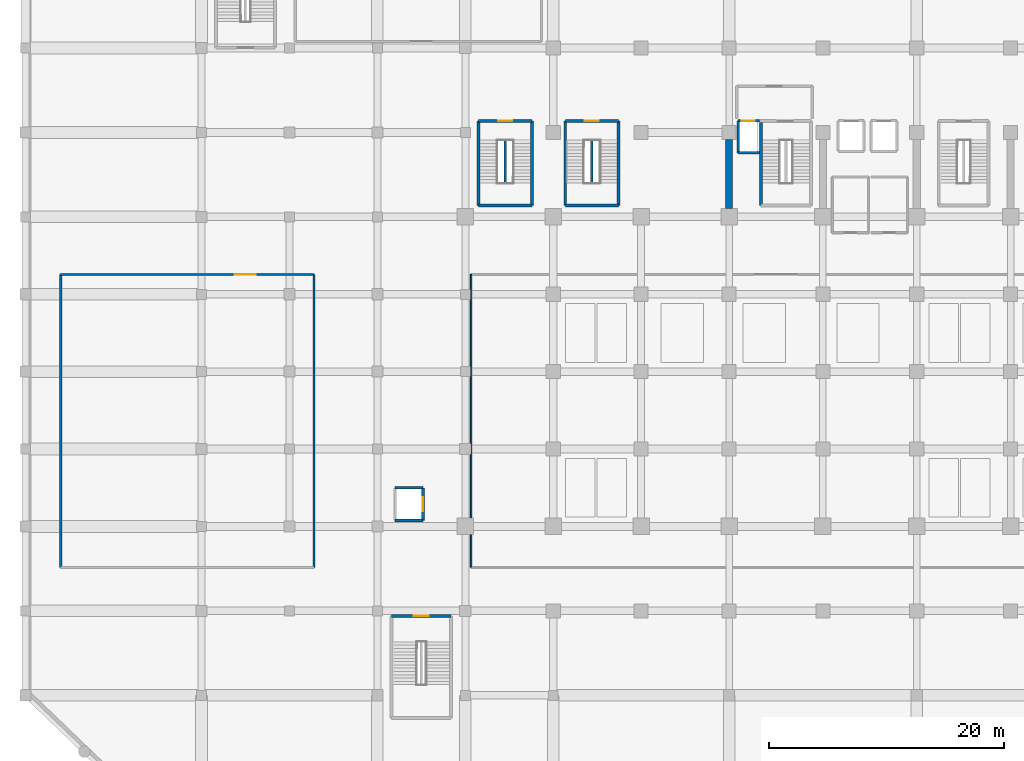
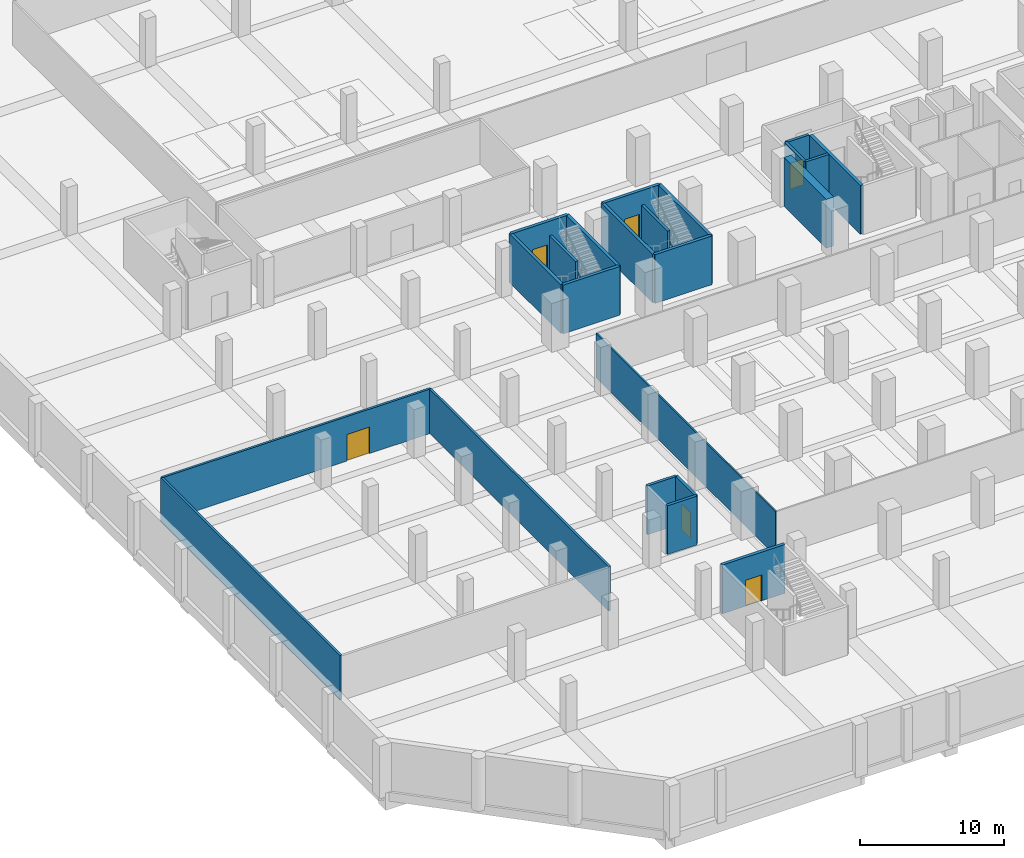
# One storey, part 7 of 25: 23 walls, 6 doors, 6 openings.
"""IFC4 building model written with IfcOpenShell, lengths in metres."""

from ifc_helpers import new_model, si_unit, direction, frame, frame_2d, origin, place, context, subcontext, project, spatial, rectangle, extrude, material, layer, layer_set, type_object, element, fill, save


model = new_model("IFC4")

# Units and contexts
model_context = context("Model", 3, precision=1e-05, world=origin(), true_north=direction((0.0, 1.0)))
body_context = subcontext(model_context, "Body", "Model", "MODEL_VIEW")
ifc_project = project(units=[si_unit("LENGTHUNIT", "METRE"), si_unit("AREAUNIT", "SQUARE_METRE"), si_unit("VOLUMEUNIT", "CUBIC_METRE"), si_unit("PLANEANGLEUNIT", "RADIAN"), si_unit("MASSUNIT", "GRAM", prefix="KILO")], contexts=[model_context])

# Site, building, storey
site_placement = place(None, origin())
site = spatial("IfcSite", under=ifc_project, at=site_placement, CompositionType="ELEMENT")
building_placement = place(site_placement, origin())
building = spatial("IfcBuilding", under=site, at=building_placement, Name="Akrevak Sports Hall", CompositionType="ELEMENT")
storey_placement = place(building_placement, frame((0.0, 0.0, -4.5)))
storey = spatial("IfcBuildingStorey", under=building, at=storey_placement, Name="B01", CompositionType="ELEMENT", Elevation=-4.5)

# Wall
ifc_material_1 = material(Name="Standard Metal Stud Partition", Category="gypsum")
ifc_layer_1 = layer(ifc_material_1, 0.1201171875, Name="Standard Metal Stud Partition")
ifc_layer_set_1 = layer_set([ifc_layer_1], Name="Standard Metal Stud Partition")
wall_type_1 = type_object("IfcWallType", Name="ARC-WL-PRT-120", PredefinedType="PARTITIONING", material=ifc_layer_set_1)
wall_1_placement = place(storey_placement, frame((38.0, 25.300048828125, 0.0), z_axis=(0.0, 0.0, 1.0), x_axis=(0.0, 1.0, 0.0)))
element("IfcWall", 1, at=wall_1_placement, inside=storey, type_object=wall_type_1, Name="Interior Partition Underground Car Park Hall South B01 (W)", PredefinedType="PARTITIONING", context=body_context, shape_type="SweptSolid", body=[
    extrude(rectangle(XDim=25.0, YDim=0.1201171875, at=frame_2d((12.5, 0.0))), origin(), (0.0, 0.0, 1.0), 3.780029296875),
])

# Wall, opening, door
ifc_material_2 = material(Name="Autoclaved Aerated Masonry Block", Category="masonry")
ifc_layer_2 = layer(ifc_material_2, 0.179931640625, Name="Autoclaved Aerated Masonry Block")
ifc_layer_set_2 = layer_set([ifc_layer_2], Name="Autoclaved Aerated Masonry Block")
wall_type_2 = type_object("IfcWallType", Name="ARC-WL-PRT-180", PredefinedType="PARTITIONING", material=ifc_layer_set_2)
wall_2_placement = place(storey_placement, frame((3.0, 50.300048828125, 0.0), z_axis=(0.0, 0.0, 1.0), x_axis=(1.0, 0.0, 0.0)))
wall_2 = element("IfcWall", 2, at=wall_2_placement, inside=storey, type_object=wall_type_2, Name="Interior Partition Central Mechanical & Chiller Plant B01 (N)", PredefinedType="PARTITIONING", context=body_context, shape_type="SweptSolid", body=[
    extrude(rectangle(XDim=21.60009765625, YDim=0.179931640625, at=frame_2d((10.800048828125, 0.0))), origin(), (0.0, 0.0, 1.0), 3.780029296875),
])
opening_1_placement = place(wall_2_placement, frame((14.85009765625, 0.0, 0.0)))
opening_1 = element("IfcOpeningElement", 3, at=opening_1_placement, cuts=wall_2, Name="Opening ID-02", PredefinedType="OPENING", context=body_context, shape_type="SweptSolid", body=[
    extrude(rectangle(XDim=1.800048828125, YDim=2.25, at=frame_2d((0.89990234375, 1.125))), frame((0.0, 0.10205078125, 0.0), z_axis=(0.0, -1.0, 0.0), x_axis=(1.0, 0.0, 0.0)), (0.0, 0.0, 1.0), 0.203857421875),
])
ifc_material_3 = material(Name="Hardwood Oak & Safety Glass", Category="wood")
door_type_1 = type_object("IfcDoorType", Name="ARC-DR-HALL-180x225", OperationType="DOUBLE_DOOR_SINGLE_SWING", PredefinedType="DOOR", material=ifc_material_3)
door_1_placement = place(opening_1_placement, origin())
door_1 = element("IfcDoor", 4, at=door_1_placement, inside=storey, type_object=door_type_1, Name="Door to Central Mechanical & Chiller Plant B01", OperationType="DOUBLE_DOOR_SINGLE_SWING", OverallHeight=2.25, OverallWidth=1.800048828125, PredefinedType="DOOR", context=body_context, shape_type="SweptSolid", body=[
    extrude(rectangle(XDim=1.800048828125, YDim=2.25, at=frame_2d((0.89990234375, 1.125))), frame((0.0, 0.02490234375, 0.0), z_axis=(0.0, -1.0, 0.0), x_axis=(1.0, 0.0, 0.0)), (0.0, 0.0, 1.0), 0.050048828125),
])
fill(opening_1, door_1)

# Walls
for number, where, z_axis, x_axis, name in (
    (5, (3.0, 25.300048828125, 0.0), (0.0, 0.0, 1.0), (0.0, 1.0, 0.0), "Interior Partition Central Mechanical & Chiller Plant B01 (W)"),
    (6, (24.60009765625, 25.300048828125, 0.0), (0.0, 0.0, 1.0), (0.0, 1.0, 0.0), "Interior Partition Central Mechanical & Chiller Plant B01 (E)"),
):
    element("IfcWall", number, at=place(storey_placement, frame(where, z_axis=z_axis, x_axis=x_axis)), inside=storey, type_object=wall_type_2, Name=name, PredefinedType="PARTITIONING", context=body_context, shape_type="SweptSolid", body=[
        extrude(rectangle(XDim=25.0, YDim=0.179931640625, at=frame_2d((12.5, 0.0))), origin(), (0.0, 0.0, 1.0), 3.780029296875),
    ])
ifc_material_4 = material(Name="Concrete C40/50", Category="concrete")
ifc_layer_3 = layer(ifc_material_4, 0.219970703125, Name="Concrete C40/50")
ifc_layer_set_3 = layer_set([ifc_layer_3], Name="Concrete C40/50")
wall_type_3 = type_object("IfcWallType", Name="ARC-WL-PRT-220", PredefinedType="PARTITIONING", material=ifc_layer_set_3)
for number, where, z_axis, x_axis, name in (
    (7, (48.300048828125, 58.094970703125, 0.0), (0.0, 0.0, 1.0), (0.0, 1.0, 0.0), "Stair ST4 Central Spine Wall (B01)"),
    (8, (40.89990234375, 58.094970703125, 0.0), (0.0, 0.0, 1.0), (0.0, 1.0, 0.0), "Stair ST9 Central Spine Wall (B01)"),
):
    element("IfcWall", number, at=place(storey_placement, frame(where, z_axis=z_axis, x_axis=x_axis)), inside=storey, type_object=wall_type_3, Name=name, PredefinedType="PARTITIONING", context=body_context, shape_type="SweptSolid", body=[
        extrude(rectangle(XDim=3.64013671875, YDim=0.219970703125, at=frame_2d((1.820068359375, 0.0))), origin(), (0.0, 0.0, 1.0), 4.14990234375),
    ])
ifc_material_5 = material(Name="Concrete C50/60", Category="concrete")
ifc_layer_4 = layer(ifc_material_5, 0.219970703125, Name="Concrete C50/60")
ifc_layer_set_4 = layer_set([ifc_layer_4], Name="Concrete C50/60")
wall_type_4 = type_object("IfcWallType", Name="ARC-WL-SHAFT-220", PredefinedType="SHEAR", material=ifc_layer_set_4)
wall_3_placement = place(storey_placement, frame((60.760009765625, 60.659912109375, 0.0), z_axis=(0.0, 0.0, 1.0), x_axis=(1.0, 0.0, 0.0)))
element("IfcWall", 9, at=wall_3_placement, inside=storey, type_object=wall_type_4, Name="Lift Shaft LF-FF1 Wall S (B01)", PredefinedType="SHEAR", context=body_context, shape_type="SweptSolid", body=[
    extrude(rectangle(XDim=1.840087890625, YDim=0.219970703125, at=frame_2d((0.919921875, 0.0))), origin(), (0.0, 0.0, 1.0), 4.14990234375),
])

# Wall, opening, door
wall_4_placement = place(storey_placement, frame((62.60009765625, 63.389892578125, 0.0), z_axis=(0.0, 0.0, 1.0), x_axis=(-1.0, 0.0, 0.0)))
wall_4 = element("IfcWall", 10, at=wall_4_placement, inside=storey, type_object=wall_type_4, Name="Lift Shaft LF-FF1 Wall N (B01)", PredefinedType="SHEAR", context=body_context, shape_type="SweptSolid", body=[
    extrude(rectangle(XDim=1.840087890625, YDim=0.219970703125, at=frame_2d((0.919921875, 0.0))), origin(), (0.0, 0.0, 1.0), 4.14990234375),
])
opening_2_placement = place(wall_4_placement, frame((0.425048828125, 0.0, 0.0)))
opening_2 = element("IfcOpeningElement", 11, at=opening_2_placement, cuts=wall_4, Name="Opening LD-01", PredefinedType="OPENING", context=body_context, shape_type="SweptSolid", body=[
    extrude(rectangle(XDim=1.10009765625, YDim=2.199951171875, at=frame_2d((0.550048828125, 1.10009765625))), frame((0.0, 0.1220703125, 0.0), z_axis=(0.0, -1.0, 0.0), x_axis=(1.0, 0.0, 0.0)), (0.0, 0.0, 1.0), 0.243896484375),
])
ifc_material_6 = material(Name="Brushed Stainless Steel 304", Category="steel")
door_type_2 = type_object("IfcDoorType", Name="ARC-DR-LD-110x220", OperationType="SLIDING_TO_LEFT", PredefinedType="DOOR", material=ifc_material_6)
door_2_placement = place(opening_2_placement, origin())
door_2 = element("IfcDoor", 12, at=door_2_placement, inside=storey, type_object=door_type_2, Name="Lift LF-FF1 Sliding Landing Door (B01)", OperationType="SLIDING_TO_RIGHT", OverallHeight=2.199951171875, OverallWidth=1.10009765625, PredefinedType="DOOR", context=body_context, shape_type="SweptSolid", body=[
    extrude(rectangle(XDim=1.10009765625, YDim=2.199951171875, at=frame_2d((0.550048828125, 1.10009765625))), frame((0.0, 0.02490234375, 0.0), z_axis=(0.0, -1.0, 0.0), x_axis=(1.0, 0.0, 0.0)), (0.0, 0.0, 1.0), 0.050048828125),
])
fill(opening_2, door_2)

# Walls
wall_5_placement = place(storey_placement, frame((60.760009765625, 63.389892578125, 0.0), z_axis=(0.0, 0.0, 1.0), x_axis=(0.0, -1.0, 0.0)))
element("IfcWall", 13, at=wall_5_placement, inside=storey, type_object=wall_type_4, Name="Lift Shaft LF-FF1 Wall W (B01)", PredefinedType="SHEAR", context=body_context, shape_type="SweptSolid", body=[
    extrude(rectangle(XDim=2.72998046875, YDim=0.219970703125, at=frame_2d((1.364990234375, 0.0))), origin(), (0.0, 0.0, 1.0), 4.14990234375),
])
for number, where, z_axis, x_axis, name in (
    (14, (31.510009765625, 29.31005859375, 0.0), (0.0, 0.0, 1.0), (1.0, 0.0, 0.0), "Lift Shaft LF-G1 Wall S (B01)"),
    (15, (33.889892578125, 32.090087890625, 0.0), (0.0, 0.0, 1.0), (-1.0, 0.0, 0.0), "Lift Shaft LF-G1 Wall N (B01)"),
):
    element("IfcWall", number, at=place(storey_placement, frame(where, z_axis=z_axis, x_axis=x_axis)), inside=storey, type_object=wall_type_4, Name=name, PredefinedType="SHEAR", context=body_context, shape_type="SweptSolid", body=[
        extrude(rectangle(XDim=2.3798828125, YDim=0.219970703125, at=frame_2d((1.18994140625, 0.0))), origin(), (0.0, 0.0, 1.0), 4.14990234375),
    ])

# Wall, opening, door
wall_6_placement = place(storey_placement, frame((33.889892578125, 29.31005859375, 0.0), z_axis=(0.0, 0.0, 1.0), x_axis=(0.0, 1.0, 0.0)))
wall_6 = element("IfcWall", 16, at=wall_6_placement, inside=storey, type_object=wall_type_4, Name="Lift Shaft LF-G1 Wall E (B01)", PredefinedType="SHEAR", context=body_context, shape_type="SweptSolid", body=[
    extrude(rectangle(XDim=2.780029296875, YDim=0.219970703125, at=frame_2d((1.39013671875, 0.0))), origin(), (0.0, 0.0, 1.0), 4.14990234375),
])
opening_3_placement = place(wall_6_placement, frame((0.7900390625, 0.0, 0.0)))
opening_3 = element("IfcOpeningElement", 17, at=opening_3_placement, cuts=wall_6, Name="Opening LD-02", PredefinedType="OPENING", context=body_context, shape_type="SweptSolid", body=[
    extrude(rectangle(XDim=1.199951171875, YDim=2.199951171875, at=frame_2d((0.60009765625, 1.10009765625))), frame((0.0, 0.1220703125, 0.0), z_axis=(0.0, -1.0, 0.0), x_axis=(1.0, 0.0, 0.0)), (0.0, 0.0, 1.0), 0.243896484375),
])
door_type_3 = type_object("IfcDoorType", Name="ARC-DR-LD-120x220", OperationType="SLIDING_TO_RIGHT", PredefinedType="DOOR", material=ifc_material_6)
door_3_placement = place(opening_3_placement, origin())
door_3 = element("IfcDoor", 18, at=door_3_placement, inside=storey, type_object=door_type_3, Name="Lift LF-G1 Sliding Landing Door (B01)", OperationType="SLIDING_TO_RIGHT", OverallHeight=2.199951171875, OverallWidth=1.199951171875, PredefinedType="DOOR", context=body_context, shape_type="SweptSolid", body=[
    extrude(rectangle(XDim=1.199951171875, YDim=2.199951171875, at=frame_2d((0.60009765625, 1.10009765625))), frame((0.0, 0.02490234375, 0.0), z_axis=(0.0, -1.0, 0.0), x_axis=(1.0, 0.0, 0.0)), (0.0, 0.0, 1.0), 0.050048828125),
])
fill(opening_3, door_3)

# Walls
ifc_layer_5 = layer(ifc_material_5, 0.60009765625, Name="Concrete C50/60")
ifc_layer_set_5 = layer_set([ifc_layer_5], Name="Concrete C50/60")
wall_type_5 = type_object("IfcWallType", Name="STR-WL-CORE-600", PredefinedType="SHEAR", material=ifc_layer_set_5)
wall_7_placement = place(storey_placement, frame((60.0, 55.89990234375, 0.0), z_axis=(0.0, 0.0, 1.0), x_axis=(0.0, 1.0, 0.0)))
element("IfcWall", 19, at=wall_7_placement, inside=storey, type_object=wall_type_5, Name="Reinforced Concrete Shear Wall SW-W2 (B01)", PredefinedType="SHEAR", context=body_context, shape_type="SweptSolid", body=[
    extrude(rectangle(XDim=5.900146484375, YDim=0.60009765625, at=frame_2d((2.9501953125, 0.0))), origin(), (0.0, 0.0, 1.0), 4.14990234375),
])
ifc_layer_6 = layer(ifc_material_5, 0.25, Name="Concrete C50/60")
ifc_layer_set_6 = layer_set([ifc_layer_6], Name="Concrete C50/60")
wall_type_6 = type_object("IfcWallType", Name="STR-WL-STAIR-250", PredefinedType="SHEAR", material=ifc_layer_set_6)
wall_8_placement = place(storey_placement, frame((62.72509765625, 63.25, 0.0), z_axis=(0.0, 0.0, 1.0), x_axis=(0.0, -1.0, 0.0)))
element("IfcWall", 20, at=wall_8_placement, inside=storey, type_object=wall_type_6, Name="Stair Core ST1 Shear Wall W (B01)", PredefinedType="SHEAR", context=body_context, shape_type="SweptSolid", body=[
    extrude(rectangle(XDim=7.074951171875, YDim=0.25, at=frame_2d((3.53759765625, 0.0))), origin(), (0.0, 0.0, 1.0), 4.14990234375),
])
wall_9_placement = place(storey_placement, frame((46.02490234375, 56.175048828125, 0.0), z_axis=(0.0, 0.0, 1.0), x_axis=(1.0, 0.0, 0.0)))
element("IfcWall", 21, at=wall_9_placement, inside=storey, type_object=wall_type_6, Name="Stair Core ST4 Shear Wall S (B01)", PredefinedType="SHEAR", context=body_context, shape_type="SweptSolid", body=[
    extrude(rectangle(XDim=4.550048828125, YDim=0.25, at=frame_2d((2.27490234375, 0.0))), origin(), (0.0, 0.0, 1.0), 4.14990234375),
])

# Wall, opening, door
wall_10_placement = place(storey_placement, frame((50.574951171875, 63.375, 0.0), z_axis=(0.0, 0.0, 1.0), x_axis=(-1.0, 0.0, 0.0)))
wall_10 = element("IfcWall", 22, at=wall_10_placement, inside=storey, type_object=wall_type_6, Name="Stair Core ST4 Shear Wall N (B01)", PredefinedType="SHEAR", context=body_context, shape_type="SweptSolid", body=[
    extrude(rectangle(XDim=4.550048828125, YDim=0.25, at=frame_2d((2.27490234375, 0.0))), origin(), (0.0, 0.0, 1.0), 4.14990234375),
])
opening_4_placement = place(wall_10_placement, frame((1.675048828125, 0.0, 0.0)))
opening_4 = element("IfcOpeningElement", 23, at=opening_4_placement, cuts=wall_10, Name="Opening SD-02", PredefinedType="OPENING", context=body_context, shape_type="SweptSolid", body=[
    extrude(rectangle(XDim=1.199951171875, YDim=2.199951171875, at=frame_2d((0.60009765625, 1.10009765625))), frame((0.0, 0.136962890625, 0.0), z_axis=(0.0, -1.0, 0.0), x_axis=(1.0, 0.0, 0.0)), (0.0, 0.0, 1.0), 0.27392578125),
])
ifc_material_7 = material(Name="Fire-Rated Galvanized Door Steel", Category="steel")
door_type_4 = type_object("IfcDoorType", Name="ARC-DR-STAIR-120x220", OperationType="NOTDEFINED", PredefinedType="DOOR", material=ifc_material_7)
door_4_placement = place(opening_4_placement, origin())
door_4 = element("IfcDoor", 24, at=door_4_placement, inside=storey, type_object=door_type_4, Name="Exit Stair ST4 Door (B01)", OperationType="SINGLE_SWING_RIGHT", OverallHeight=2.199951171875, OverallWidth=1.199951171875, PredefinedType="DOOR", context=body_context, shape_type="SweptSolid", body=[
    extrude(rectangle(XDim=1.199951171875, YDim=2.199951171875, at=frame_2d((0.60009765625, 1.10009765625))), frame((0.0, 0.02490234375, 0.0), z_axis=(0.0, -1.0, 0.0), x_axis=(1.0, 0.0, 0.0)), (0.0, 0.0, 1.0), 0.050048828125),
])
fill(opening_4, door_4)

# Walls
for number, where, z_axis, x_axis, name in (
    (25, (46.02490234375, 63.375, 0.0), (0.0, 0.0, 1.0), (0.0, -1.0, 0.0), "Stair Core ST4 Shear Wall W (B01)"),
    (26, (50.574951171875, 56.175048828125, 0.0), (0.0, 0.0, 1.0), (0.0, 1.0, 0.0), "Stair Core ST4 Shear Wall E (B01)"),
):
    element("IfcWall", number, at=place(storey_placement, frame(where, z_axis=z_axis, x_axis=x_axis)), inside=storey, type_object=wall_type_6, Name=name, PredefinedType="SHEAR", context=body_context, shape_type="SweptSolid", body=[
        extrude(rectangle(XDim=7.199951171875, YDim=0.25, at=frame_2d((3.60009765625, 0.0))), origin(), (0.0, 0.0, 1.0), 4.14990234375),
    ])

# Wall, opening, door
wall_11_placement = place(storey_placement, frame((36.27490234375, 21.175048828125, 0.0), z_axis=(0.0, 0.0, 1.0), x_axis=(-1.0, 0.0, 0.0)))
wall_11 = element("IfcWall", 27, at=wall_11_placement, inside=storey, type_object=wall_type_6, Name="Stair Core ST5 Shear Wall N (B01)", PredefinedType="SHEAR", context=body_context, shape_type="SweptSolid", body=[
    extrude(rectangle(XDim=5.0498046875, YDim=0.25, at=frame_2d((2.52490234375, 0.0))), origin(), (0.0, 0.0, 1.0), 4.14990234375),
])
opening_5_placement = place(wall_11_placement, frame((1.875, 0.0, 0.0)))
opening_5 = element("IfcOpeningElement", 28, at=opening_5_placement, cuts=wall_11, Name="Opening SD-01", PredefinedType="OPENING", context=body_context, shape_type="SweptSolid", body=[
    extrude(rectangle(XDim=1.300048828125, YDim=2.199951171875, at=frame_2d((0.64990234375, 1.10009765625))), frame((0.0, 0.136962890625, 0.0), z_axis=(0.0, -1.0, 0.0), x_axis=(1.0, 0.0, 0.0)), (0.0, 0.0, 1.0), 0.27392578125),
])
door_type_5 = type_object("IfcDoorType", Name="ARC-DR-STAIR-130x220", OperationType="NOTDEFINED", PredefinedType="DOOR", material=ifc_material_7)
door_5_placement = place(opening_5_placement, origin())
door_5 = element("IfcDoor", 29, at=door_5_placement, inside=storey, type_object=door_type_5, Name="Exit Stair ST5 Door (B01)", OperationType="SINGLE_SWING_LEFT", OverallHeight=2.199951171875, OverallWidth=1.300048828125, PredefinedType="DOOR", context=body_context, shape_type="SweptSolid", body=[
    extrude(rectangle(XDim=1.300048828125, YDim=2.199951171875, at=frame_2d((0.64990234375, 1.10009765625))), frame((0.0, 0.02490234375, 0.0), z_axis=(0.0, -1.0, 0.0), x_axis=(1.0, 0.0, 0.0)), (0.0, 0.0, 1.0), 0.050048828125),
])
fill(opening_5, door_5)

# Wall
wall_12_placement = place(storey_placement, frame((38.625, 56.175048828125, 0.0), z_axis=(0.0, 0.0, 1.0), x_axis=(1.0, 0.0, 0.0)))
element("IfcWall", 30, at=wall_12_placement, inside=storey, type_object=wall_type_6, Name="Stair Core ST9 Shear Wall S (B01)", PredefinedType="SHEAR", context=body_context, shape_type="SweptSolid", body=[
    extrude(rectangle(XDim=4.550048828125, YDim=0.25, at=frame_2d((2.27490234375, 0.0))), origin(), (0.0, 0.0, 1.0), 4.14990234375),
])

# Wall, opening, door
wall_13_placement = place(storey_placement, frame((43.175048828125, 63.375, 0.0), z_axis=(0.0, 0.0, 1.0), x_axis=(-1.0, 0.0, 0.0)))
wall_13 = element("IfcWall", 31, at=wall_13_placement, inside=storey, type_object=wall_type_6, Name="Stair Core ST9 Shear Wall N (B01)", PredefinedType="SHEAR", context=body_context, shape_type="SweptSolid", body=[
    extrude(rectangle(XDim=4.550048828125, YDim=0.25, at=frame_2d((2.27490234375, 0.0))), origin(), (0.0, 0.0, 1.0), 4.14990234375),
])
opening_6_placement = place(wall_13_placement, frame((1.675048828125, 0.0, 0.0)))
opening_6 = element("IfcOpeningElement", 32, at=opening_6_placement, cuts=wall_13, Name="Opening SD-02", PredefinedType="OPENING", context=body_context, shape_type="SweptSolid", body=[
    extrude(rectangle(XDim=1.199951171875, YDim=2.199951171875, at=frame_2d((0.60009765625, 1.10009765625))), frame((0.0, 0.136962890625, 0.0), z_axis=(0.0, -1.0, 0.0), x_axis=(1.0, 0.0, 0.0)), (0.0, 0.0, 1.0), 0.27392578125),
])
door_6_placement = place(opening_6_placement, origin())
door_6 = element("IfcDoor", 33, at=door_6_placement, inside=storey, type_object=door_type_4, Name="Exit Stair ST9 Door (B01)", OperationType="SINGLE_SWING_LEFT", OverallHeight=2.199951171875, OverallWidth=1.199951171875, PredefinedType="DOOR", context=body_context, shape_type="SweptSolid", body=[
    extrude(rectangle(XDim=1.199951171875, YDim=2.199951171875, at=frame_2d((0.60009765625, 1.10009765625))), frame((0.0, 0.02490234375, 0.0), z_axis=(0.0, -1.0, 0.0), x_axis=(1.0, 0.0, 0.0)), (0.0, 0.0, 1.0), 0.050048828125),
])
fill(opening_6, door_6)

# Walls
for number, where, z_axis, x_axis, name in (
    (34, (38.625, 63.375, 0.0), (0.0, 0.0, 1.0), (0.0, -1.0, 0.0), "Stair Core ST9 Shear Wall W (B01)"),
    (35, (43.175048828125, 56.175048828125, 0.0), (0.0, 0.0, 1.0), (0.0, 1.0, 0.0), "Stair Core ST9 Shear Wall E (B01)"),
):
    element("IfcWall", number, at=place(storey_placement, frame(where, z_axis=z_axis, x_axis=x_axis)), inside=storey, type_object=wall_type_6, Name=name, PredefinedType="SHEAR", context=body_context, shape_type="SweptSolid", body=[
        extrude(rectangle(XDim=7.199951171875, YDim=0.25, at=frame_2d((3.60009765625, 0.0))), origin(), (0.0, 0.0, 1.0), 4.14990234375),
    ])

save(model, "model.ifc")
